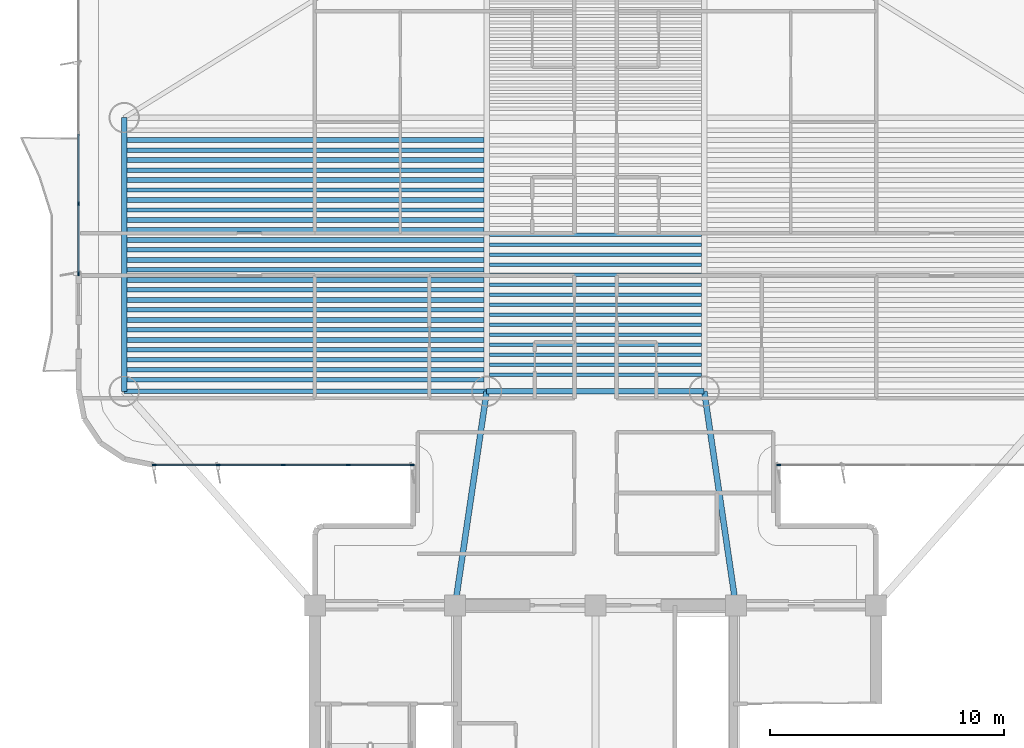
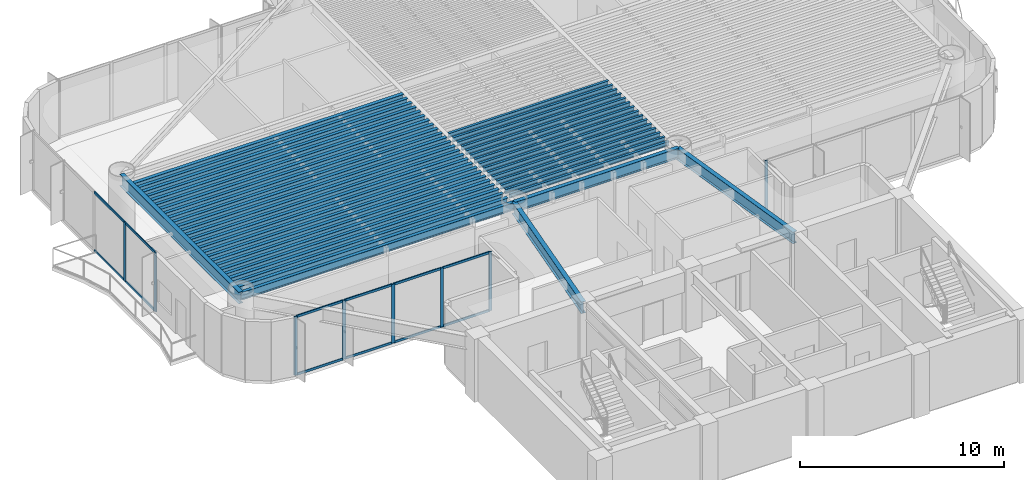
# One storey, part 2 of 17: 45 beams, 20 members, 3 elements without a shape of their own.
"""IFC4 building model written with IfcOpenShell, lengths in metres."""

from ifc_helpers import new_model, si_unit, direction, frame, origin, origin_2d, place, context, subcontext, project, spatial, rectangle, i_section, extrude, source, transform, mapped, material, layer, layer_set, material_profile, profile_set, type_object, element, aggregate, save


model = new_model("IFC4")

# Units and contexts
model_context = context("Model", 3, precision=1e-05, world=origin(), true_north=direction((0.0, 1.0)))
body_context = subcontext(model_context, "Body", "Model", "MODEL_VIEW")
ifc_project = project(units=[si_unit("LENGTHUNIT", "METRE"), si_unit("AREAUNIT", "SQUARE_METRE"), si_unit("VOLUMEUNIT", "CUBIC_METRE"), si_unit("PLANEANGLEUNIT", "RADIAN"), si_unit("MASSUNIT", "GRAM", prefix="KILO")], contexts=[model_context])

# Site, building, storey
site_placement = place(None, origin())
site = spatial("IfcSite", under=ifc_project, at=site_placement, CompositionType="ELEMENT")
building_placement = place(site_placement, origin())
building = spatial("IfcBuilding", under=site, at=building_placement, Name="Brelvock Crest Care Tower", CompositionType="ELEMENT")
storey_placement = place(building_placement, frame((0.0, 0.0, 97.3798828125)))
storey = spatial("IfcBuildingStorey", under=building, at=storey_placement, Name="L24", CompositionType="ELEMENT", Elevation=97.3798828125)

# Beams
ifc_material_1 = material(Name="Steel Grade 350", Category="steel")
ifc_material_profile_1 = material_profile(ifc_material_1, i_section(OverallWidth=0.22900390625, OverallDepth=0.612060546875, WebThickness=0.011962890625, FlangeThickness=0.01953125, FilletRadius=0.013916015625, at=origin_2d()), Name="610UB125")
ifc_profile_set_1 = profile_set([ifc_material_profile_1], Name="Steel Grade 350")
beam_type_1 = type_object("IfcBeamType", Name="BM-G1", PredefinedType="BEAM", material=ifc_profile_set_1)
shared_shape_1 = source(origin(), body_context, "Body", "SweptSolid", [
    extrude(i_section(OverallWidth=0.22900390625, OverallDepth=0.612060546875, WebThickness=0.011962890625, FlangeThickness=0.01953125, FilletRadius=0.013916015625, at=origin_2d()), origin(), (0.0, 0.0, 1.0), 9.2998046875),
])
beam_1_placement = place(storey_placement, frame((31.35009765625, 27.14990234375, 3.22412109375), z_axis=(1.0, 0.0, 0.0), x_axis=(0.0, 1.0, 0.0)))
element("IfcBeam", 1, at=beam_1_placement, inside=storey, type_object=beam_type_1, Name="BM-TWR-L24-05", PredefinedType="BEAM", context=body_context, shape_type="MappedRepresentation", body=[
    mapped(shared_shape_1, transform((0.0, 0.0, 0.0), x_axis=(1.0, 0.0, 0.0), y_axis=(0.0, 1.0, 0.0), z_axis=(0.0, 0.0, 1.0), scale=1.0)),
])
ifc_material_profile_2 = material_profile(ifc_material_1, i_section(OverallWidth=0.14599609375, OverallDepth=0.256103515625, WebThickness=0.00634765625, FlangeThickness=0.010986328125, FilletRadius=0.0087890625, at=origin_2d()), Name="250UB37.3")
ifc_profile_set_2 = profile_set([ifc_material_profile_2], Name="Steel Grade 350")
beam_type_2 = type_object("IfcBeamType", Name="BM-J3", PredefinedType="JOIST", material=ifc_profile_set_2)
shared_shape_2 = source(origin(), body_context, "Body", "SweptSolid", [
    extrude(i_section(OverallWidth=0.14599609375, OverallDepth=0.256103515625, WebThickness=0.00634765625, FlangeThickness=0.010986328125, FilletRadius=0.0087890625, at=origin_2d()), origin(), (0.0, 0.0, 1.0), 9.06982421875),
])
for number, where, z_axis, x_axis, name in (
    (2, (31.465087890625, 27.85498046875, 3.402099609375), (1.0, 0.0, 0.0), (0.0, 1.0, 0.0), "BM-JH-L24-1"),
    (3, (31.465087890625, 28.281982421875, 3.402099609375), (1.0, 0.0, 0.0), (0.0, 1.0, 0.0), "BM-JH-L24-2"),
    (4, (31.465087890625, 28.708984375, 3.402099609375), (1.0, 0.0, 0.0), (0.0, 1.0, 0.0), "BM-JH-L24-3"),
    (5, (31.465087890625, 29.135986328125, 3.402099609375), (1.0, 0.0, 0.0), (0.0, 1.0, 0.0), "BM-JH-L24-4"),
    (6, (31.465087890625, 29.56298828125, 3.402099609375), (1.0, 0.0, 0.0), (0.0, 1.0, 0.0), "BM-JH-L24-5"),
    (7, (31.465087890625, 29.990234375, 3.402099609375), (1.0, 0.0, 0.0), (0.0, 1.0, 0.0), "BM-JH-L24-6"),
    (8, (31.465087890625, 30.417236328125, 3.402099609375), (1.0, 0.0, 0.0), (0.0, 1.0, 0.0), "BM-JH-L24-7"),
    (9, (31.465087890625, 30.84423828125, 3.402099609375), (1.0, 0.0, 0.0), (0.0, 1.0, 0.0), "BM-JH-L24-8"),
    (10, (31.465087890625, 31.271240234375, 3.402099609375), (1.0, 0.0, 0.0), (0.0, 1.0, 0.0), "BM-JH-L24-9"),
    (11, (31.465087890625, 31.698486328125, 3.402099609375), (1.0, 0.0, 0.0), (0.0, 1.0, 0.0), "BM-JH-L24-10"),
    (12, (31.465087890625, 32.12548828125, 3.402099609375), (1.0, 0.0, 0.0), (0.0, 1.0, 0.0), "BM-JH-L24-11"),
    (13, (31.465087890625, 32.552490234375, 3.402099609375), (1.0, 0.0, 0.0), (0.0, 1.0, 0.0), "BM-JH-L24-12"),
    (14, (31.465087890625, 32.9794921875, 3.402099609375), (1.0, 0.0, 0.0), (0.0, 1.0, 0.0), "BM-JH-L24-13"),
    (15, (31.465087890625, 33.406494140625, 3.402099609375), (1.0, 0.0, 0.0), (0.0, 1.0, 0.0), "BM-JH-L24-14"),
    (16, (31.465087890625, 33.83349609375, 3.402099609375), (1.0, 0.0, 0.0), (0.0, 1.0, 0.0), "BM-JH-L24-15"),
):
    element("IfcBeam", number, at=place(storey_placement, frame(where, z_axis=z_axis, x_axis=x_axis)), inside=storey, type_object=beam_type_2, Name=name, PredefinedType="JOIST", context=body_context, shape_type="MappedRepresentation", body=[
        mapped(shared_shape_2, transform((0.0, 0.0, 0.0), x_axis=(1.0, 0.0, 0.0), y_axis=(0.0, 1.0, 0.0), z_axis=(0.0, 0.0, 1.0), scale=1.0)),
    ])
ifc_material_profile_3 = material_profile(ifc_material_1, i_section(OverallWidth=0.208984375, OverallDepth=0.532958984375, WebThickness=0.01025390625, FlangeThickness=0.015625, FilletRadius=0.013916015625, at=origin_2d()), Name="530UB92.4")
ifc_profile_set_3 = profile_set([ifc_material_profile_3], Name="Steel Grade 350")
beam_type_3 = type_object("IfcBeamType", Name="BM-G2", PredefinedType="BEAM", material=ifc_profile_set_3)
shared_shape_3 = source(origin(), body_context, "Body", "SweptSolid", [
    extrude(i_section(OverallWidth=0.208984375, OverallDepth=0.532958984375, WebThickness=0.01025390625, FlangeThickness=0.015625, FilletRadius=0.013916015625, at=origin_2d()), origin(), (0.0, 0.0, 1.0), 15.27001953125),
])
for number, where, z_axis, x_axis, name in (
    (17, (15.965087890625, 27.641357421875, 3.263671875), (1.0, 0.0, 0.0), (0.0, 1.0, 0.0), "BM-JW-L24-1"),
    (18, (15.965087890625, 28.49560546875, 3.263671875), (1.0, 0.0, 0.0), (0.0, 1.0, 0.0), "BM-JW-L24-3"),
    (19, (15.965087890625, 29.349609375, 3.263671875), (1.0, 0.0, 0.0), (0.0, 1.0, 0.0), "BM-JW-L24-5"),
    (20, (15.965087890625, 30.20361328125, 3.263671875), (1.0, 0.0, 0.0), (0.0, 1.0, 0.0), "BM-JW-L24-7"),
    (21, (15.965087890625, 31.057861328125, 3.263671875), (1.0, 0.0, 0.0), (0.0, 1.0, 0.0), "BM-JW-L24-9"),
    (22, (15.965087890625, 31.911865234375, 3.263671875), (1.0, 0.0, 0.0), (0.0, 1.0, 0.0), "BM-JW-L24-11"),
    (23, (15.965087890625, 32.76611328125, 3.263671875), (1.0, 0.0, 0.0), (0.0, 1.0, 0.0), "BM-JW-L24-13"),
    (24, (15.965087890625, 33.6201171875, 3.263671875), (1.0, 0.0, 0.0), (0.0, 1.0, 0.0), "BM-JW-L24-15"),
    (25, (15.965087890625, 34.47412109375, 3.263671875), (1.0, 0.0, 0.0), (0.0, 1.0, 0.0), "BM-JW-L24-17"),
    (26, (15.965087890625, 35.328369140625, 3.263671875), (1.0, 0.0, 0.0), (0.0, 1.0, 0.0), "BM-JW-L24-19"),
    (27, (15.965087890625, 36.182373046875, 3.263671875), (1.0, 0.0, 0.0), (0.0, 1.0, 0.0), "BM-JW-L24-21"),
    (28, (15.965087890625, 37.03662109375, 3.263671875), (1.0, 0.0, 0.0), (0.0, 1.0, 0.0), "BM-JW-L24-23"),
    (29, (15.965087890625, 37.890625, 3.263671875), (1.0, 0.0, 0.0), (0.0, 1.0, 0.0), "BM-JW-L24-25"),
):
    element("IfcBeam", number, at=place(storey_placement, frame(where, z_axis=z_axis, x_axis=x_axis)), inside=storey, type_object=beam_type_3, Name=name, PredefinedType="BEAM", context=body_context, shape_type="MappedRepresentation", body=[
        mapped(shared_shape_3, transform((0.0, 0.0, 0.0), x_axis=(1.0, 0.0, 0.0), y_axis=(0.0, 1.0, 0.0), z_axis=(0.0, 0.0, 1.0), scale=1.0)),
    ])
ifc_material_profile_4 = material_profile(ifc_material_1, i_section(OverallWidth=0.19091796875, OverallDepth=0.4599609375, WebThickness=0.010009765625, FlangeThickness=0.01611328125, FilletRadius=0.011474609375, at=origin_2d()), Name="460UB82.1")
ifc_profile_set_4 = profile_set([ifc_material_profile_4], Name="Steel Grade 350")
beam_type_4 = type_object("IfcBeamType", Name="BM-G3", PredefinedType="BEAM", material=ifc_profile_set_4)
shared_shape_4 = source(origin(), body_context, "Body", "SweptSolid", [
    extrude(i_section(OverallWidth=0.19091796875, OverallDepth=0.4599609375, WebThickness=0.010009765625, FlangeThickness=0.01611328125, FilletRadius=0.011474609375, at=origin_2d()), origin(), (0.0, 0.0, 1.0), 15.27001953125),
])
for number, where, z_axis, x_axis, name in (
    (30, (15.965087890625, 28.068359375, 3.300048828125), (1.0, 0.0, 0.0), (0.0, 1.0, 0.0), "BM-JW-L24-2"),
    (31, (15.965087890625, 28.922607421875, 3.300048828125), (1.0, 0.0, 0.0), (0.0, 1.0, 0.0), "BM-JW-L24-4"),
    (32, (15.965087890625, 29.776611328125, 3.300048828125), (1.0, 0.0, 0.0), (0.0, 1.0, 0.0), "BM-JW-L24-6"),
    (33, (15.965087890625, 30.630615234375, 3.300048828125), (1.0, 0.0, 0.0), (0.0, 1.0, 0.0), "BM-JW-L24-8"),
    (34, (15.965087890625, 31.48486328125, 3.300048828125), (1.0, 0.0, 0.0), (0.0, 1.0, 0.0), "BM-JW-L24-10"),
    (35, (15.965087890625, 32.3388671875, 3.300048828125), (1.0, 0.0, 0.0), (0.0, 1.0, 0.0), "BM-JW-L24-12"),
    (36, (15.965087890625, 33.193115234375, 3.300048828125), (1.0, 0.0, 0.0), (0.0, 1.0, 0.0), "BM-JW-L24-14"),
    (37, (15.965087890625, 34.047119140625, 3.300048828125), (1.0, 0.0, 0.0), (0.0, 1.0, 0.0), "BM-JW-L24-16"),
    (38, (15.965087890625, 34.901123046875, 3.300048828125), (1.0, 0.0, 0.0), (0.0, 1.0, 0.0), "BM-JW-L24-18"),
    (39, (15.965087890625, 35.75537109375, 3.300048828125), (1.0, 0.0, 0.0), (0.0, 1.0, 0.0), "BM-JW-L24-20"),
    (40, (15.965087890625, 36.609619140625, 3.300048828125), (1.0, 0.0, 0.0), (0.0, 1.0, 0.0), "BM-JW-L24-22"),
    (41, (15.965087890625, 37.46337890625, 3.300048828125), (1.0, 0.0, 0.0), (0.0, 1.0, 0.0), "BM-JW-L24-24"),
):
    element("IfcBeam", number, at=place(storey_placement, frame(where, z_axis=z_axis, x_axis=x_axis)), inside=storey, type_object=beam_type_4, Name=name, PredefinedType="BEAM", context=body_context, shape_type="MappedRepresentation", body=[
        mapped(shared_shape_4, transform((0.0, 0.0, 0.0), x_axis=(1.0, 0.0, 0.0), y_axis=(0.0, 1.0, 0.0), z_axis=(0.0, 0.0, 1.0), scale=1.0)),
    ])
ifc_material_profile_5 = material_profile(ifc_material_1, i_section(OverallWidth=0.25, OverallDepth=0.699951171875, WebThickness=0.011962890625, FlangeThickness=0.02001953125, at=origin_2d()), Name="700WB150")
ifc_profile_set_5 = profile_set([ifc_material_profile_5], Name="Steel Grade 350")
beam_type_5 = type_object("IfcBeamType", Name="BM-G4", PredefinedType="BEAM", material=ifc_profile_set_5)
shared_shape_5 = source(origin(), body_context, "Body", "SweptSolid", [
    extrude(i_section(OverallWidth=0.25, OverallDepth=0.699951171875, WebThickness=0.011962890625, FlangeThickness=0.02001953125, at=origin_2d()), origin(), (0.0, 0.0, 1.0), 11.7001953125),
])
beam_2_placement = place(storey_placement, frame((15.85009765625, 27.14990234375, 3.18017578125), z_axis=(0.0, 1.0, 0.0), x_axis=(-1.0, 0.0, 0.0)))
element("IfcBeam", 42, at=beam_2_placement, inside=storey, type_object=beam_type_5, Name="BM-TWR-L24-01", PredefinedType="BEAM", context=body_context, shape_type="MappedRepresentation", body=[
    mapped(shared_shape_5, transform((0.0, 0.0, 0.0), x_axis=(1.0, 0.0, 0.0), y_axis=(0.0, 1.0, 0.0), z_axis=(0.0, 0.0, 1.0), scale=1.0)),
])
ifc_material_profile_6 = material_profile(ifc_material_1, i_section(OverallWidth=0.19091796875, OverallDepth=0.4599609375, WebThickness=0.010009765625, FlangeThickness=0.01611328125, FilletRadius=0.011474609375, at=origin_2d()), Name="460UB82.1")
ifc_profile_set_6 = profile_set([ifc_material_profile_6], Name="Steel Grade 350")
beam_type_6 = type_object("IfcBeamType", Name="BM-SP2", PredefinedType="SPANDREL", material=ifc_profile_set_6)
shared_shape_6 = source(origin(), body_context, "Body", "SweptSolid", [
    extrude(i_section(OverallWidth=0.19091796875, OverallDepth=0.4599609375, WebThickness=0.010009765625, FlangeThickness=0.01611328125, FilletRadius=0.011474609375, at=origin_2d()), origin(), (0.0, 0.0, 1.0), 15.5),
])
beam_3_placement = place(storey_placement, frame((15.85009765625, 27.14990234375, 3.300048828125), z_axis=(1.0, 0.0, 0.0), x_axis=(0.0, 1.0, 0.0)))
element("IfcBeam", 43, at=beam_3_placement, inside=storey, type_object=beam_type_6, Name="BM-TWR-L24-03", PredefinedType="SPANDREL", context=body_context, shape_type="MappedRepresentation", body=[
    mapped(shared_shape_6, transform((0.0, 0.0, 0.0), x_axis=(1.0, 0.0, 0.0), y_axis=(0.0, 1.0, 0.0), z_axis=(0.0, 0.0, 1.0), scale=1.0)),
])
shared_shape_7 = source(origin(), body_context, "Body", "SweptSolid", [
    extrude(i_section(OverallWidth=0.25, OverallDepth=0.699951171875, WebThickness=0.011962890625, FlangeThickness=0.02001953125, at=origin_2d()), origin(), (0.0, 0.0, 1.0), 9.2490234375),
])
for number, where, z_axis, x_axis, name in (
    (44, (30.0, 18.0, 3.18017578125), (0.145972731602, 0.989288613918, 0.0), (-0.989288613918, 0.145972731602, 0.0), "BM-THRW-L24"),
    (45, (42.0, 18.0, 3.18017578125), (-0.145972731602, 0.989288613918, 0.0), (-0.989288613918, -0.145972731602, 0.0), "BM-THRE-L24"),
):
    element("IfcBeam", number, at=place(storey_placement, frame(where, z_axis=z_axis, x_axis=x_axis)), inside=storey, type_object=beam_type_5, Name=name, PredefinedType="BEAM", context=body_context, shape_type="MappedRepresentation", body=[
        mapped(shared_shape_7, transform((0.0, 0.0, 0.0), x_axis=(1.0, 0.0, 0.0), y_axis=(0.0, 1.0, 0.0), z_axis=(0.0, 0.0, 1.0), scale=1.0)),
    ])

# Curtain wall, members
ifc_material_2 = material(Name="Dark Glass Double Glazed Low-E", Category="glass")
ifc_layer = layer(ifc_material_2, 0.2099609375, Name="CWS-3")
ifc_layer_set = layer_set([ifc_layer], Name="Dark Glass Double Glazed Low-E")
curtain_wall_type = type_object("IfcCurtainWallType", Name="CWS-3", PredefinedType="NOTDEFINED", material=ifc_layer_set)
curtain_wall_1_placement = place(storey_placement, origin())
curtain_wall_1 = element("IfcCurtainWall", 46, at=curtain_wall_1_placement, inside=storey, type_object=curtain_wall_type, Name="L24 Curtain Wall E12", PredefinedType="NOTDEFINED")
ifc_material_3 = material(Name="Aluminium 6063-T6", Category="aluminium")
ifc_material_profile_7 = material_profile(ifc_material_3, rectangle(XDim=0.06005859375, YDim=0.179931640625, at=origin_2d()), Name="ALU60x180")
ifc_profile_set_7 = profile_set([ifc_material_profile_7], Name="Aluminium 6063-T6")
member_type_1 = type_object("IfcMemberType", Name="CWM-2", PredefinedType="MULLION", material=ifc_profile_set_7)
shared_shape_8 = source(origin(), body_context, "Body", "SweptSolid", [
    extrude(rectangle(XDim=0.06005859375, YDim=0.179931640625, at=origin_2d()), origin(), (0.0, 0.0, 1.0), 3.530029296875),
])
member_1_placement = place(storey_placement, frame((28.169921875, 24.0, 0.0), z_axis=(0.0, 0.0, 1.0), x_axis=(0.0, -1.0, 0.0)))
member_1 = element("IfcMember", 47, at=member_1_placement, type_object=member_type_1, Name="CW-3 mullion 1", PredefinedType="MULLION", context=body_context, shape_type="MappedRepresentation", body=[
    mapped(shared_shape_8, transform((0.0, 0.0, 0.0), x_axis=(1.0, 0.0, 0.0), y_axis=(0.0, 1.0, 0.0), z_axis=(0.0, 0.0, 1.0), scale=1.0)),
])
member_2_placement = place(storey_placement, frame((25.425048828125, 24.0, 0.0), z_axis=(0.0, 0.0, 1.0), x_axis=(0.0, -1.0, 0.0)))
member_2 = element("IfcMember", 48, at=member_2_placement, type_object=member_type_1, Name="CW-3 mullion 2", PredefinedType="MULLION", context=body_context, shape_type="MappedRepresentation", body=[
    mapped(shared_shape_8, transform((0.0, 0.0, 0.0), x_axis=(1.0, 0.0, 0.0), y_axis=(0.0, 1.0, 0.0), z_axis=(0.0, 0.0, 1.0), scale=1.0)),
])
member_3_placement = place(storey_placement, frame((22.64990234375, 24.0, 0.0), z_axis=(0.0, 0.0, 1.0), x_axis=(0.0, -1.0, 0.0)))
member_3 = element("IfcMember", 49, at=member_3_placement, type_object=member_type_1, Name="CW-3 mullion 3", PredefinedType="MULLION", context=body_context, shape_type="MappedRepresentation", body=[
    mapped(shared_shape_8, transform((0.0, 0.0, 0.0), x_axis=(1.0, 0.0, 0.0), y_axis=(0.0, 1.0, 0.0), z_axis=(0.0, 0.0, 1.0), scale=1.0)),
])
member_4_placement = place(storey_placement, frame((19.875, 24.0, 0.0), z_axis=(0.0, 0.0, 1.0), x_axis=(0.0, -1.0, 0.0)))
member_4 = element("IfcMember", 50, at=member_4_placement, type_object=member_type_1, Name="CW-3 mullion 4", PredefinedType="MULLION", context=body_context, shape_type="MappedRepresentation", body=[
    mapped(shared_shape_8, transform((0.0, 0.0, 0.0), x_axis=(1.0, 0.0, 0.0), y_axis=(0.0, 1.0, 0.0), z_axis=(0.0, 0.0, 1.0), scale=1.0)),
])
member_5_placement = place(storey_placement, frame((17.1298828125, 24.0, 0.0), z_axis=(0.0, 0.0, 1.0), x_axis=(0.0, -1.0, 0.0)))
member_5 = element("IfcMember", 51, at=member_5_placement, type_object=member_type_1, Name="CW-3 mullion 5", PredefinedType="MULLION", context=body_context, shape_type="MappedRepresentation", body=[
    mapped(shared_shape_8, transform((0.0, 0.0, 0.0), x_axis=(1.0, 0.0, 0.0), y_axis=(0.0, 1.0, 0.0), z_axis=(0.0, 0.0, 1.0), scale=1.0)),
])

curtain_wall_2_placement = place(storey_placement, origin())
curtain_wall_2 = element("IfcCurtainWall", 52, at=curtain_wall_2_placement, inside=storey, type_object=curtain_wall_type, Name="L24 Curtain Wall E17B", PredefinedType="NOTDEFINED")
member_6_placement = place(storey_placement, frame((13.89990234375, 32.179931640625, 0.0), z_axis=(0.0, 0.0, 1.0), x_axis=(-1.0, 0.0, 0.0)))
member_6 = element("IfcMember", 53, at=member_6_placement, type_object=member_type_1, Name="CW-3 mullion 1", PredefinedType="MULLION", context=body_context, shape_type="MappedRepresentation", body=[
    mapped(shared_shape_8, transform((0.0, 0.0, 0.0), x_axis=(1.0, 0.0, 0.0), y_axis=(0.0, 1.0, 0.0), z_axis=(0.0, 0.0, 1.0), scale=1.0)),
])
member_7_placement = place(storey_placement, frame((13.89990234375, 35.16259765625, 0.0), z_axis=(0.0, 0.0, 1.0), x_axis=(-1.0, 0.0, 0.0)))
member_7 = element("IfcMember", 54, at=member_7_placement, type_object=member_type_1, Name="CW-3 mullion 2", PredefinedType="MULLION", context=body_context, shape_type="MappedRepresentation", body=[
    mapped(shared_shape_8, transform((0.0, 0.0, 0.0), x_axis=(1.0, 0.0, 0.0), y_axis=(0.0, 1.0, 0.0), z_axis=(0.0, 0.0, 1.0), scale=1.0)),
])

# Curtain wall, member
curtain_wall_3_placement = place(storey_placement, origin())
curtain_wall_3 = element("IfcCurtainWall", 55, at=curtain_wall_3_placement, inside=storey, type_object=curtain_wall_type, Name="L24 Curtain Wall E44", PredefinedType="NOTDEFINED")
member_8_placement = place(storey_placement, frame((43.830078125, 24.0, 0.0), z_axis=(0.0, 0.0, 1.0), x_axis=(0.0, -1.0, 0.0)))
member_8 = element("IfcMember", 56, at=member_8_placement, type_object=member_type_1, Name="CW-3 mullion 5", PredefinedType="MULLION", context=body_context, shape_type="MappedRepresentation", body=[
    mapped(shared_shape_8, transform((0.0, 0.0, 0.0), x_axis=(1.0, 0.0, 0.0), y_axis=(0.0, 1.0, 0.0), z_axis=(0.0, 0.0, 1.0), scale=1.0)),
])
aggregate(curtain_wall_3, [member_8])

# Member
ifc_material_profile_8 = material_profile(ifc_material_3, rectangle(XDim=0.06005859375, YDim=0.139892578125, at=origin_2d()), Name="ALU60x140")
ifc_profile_set_8 = profile_set([ifc_material_profile_8], Name="Aluminium 6063-T6")
member_type_2 = type_object("IfcMemberType", Name="CWT-2", PredefinedType="USERDEFINED", material=ifc_profile_set_8)
shared_shape_9 = source(origin(), body_context, "Body", "SweptSolid", [
    extrude(rectangle(XDim=0.06005859375, YDim=0.139892578125, at=origin_2d()), origin(), (0.0, 0.0, 1.0), 2.684814453125),
])
member_9_placement = place(storey_placement, frame((28.139892578125, 24.0, 0.030029296875), z_axis=(-1.0, 0.0, 0.0), x_axis=(0.0, -1.0, 0.0)))
member_9 = element("IfcMember", 57, at=member_9_placement, type_object=member_type_2, Name="CW-3 transom 1.1", ObjectType="TRANSOM", PredefinedType="USERDEFINED", context=body_context, shape_type="MappedRepresentation", body=[
    mapped(shared_shape_9, transform((0.0, 0.0, 0.0), x_axis=(1.0, 0.0, 0.0), y_axis=(0.0, 1.0, 0.0), z_axis=(0.0, 0.0, 1.0), scale=1.0)),
])

member_10_placement = place(storey_placement, frame((28.139892578125, 24.0, 3.5), z_axis=(-1.0, 0.0, 0.0), x_axis=(0.0, -1.0, 0.0)))
member_10 = element("IfcMember", 58, at=member_10_placement, type_object=member_type_2, Name="CW-3 transom 1.2", ObjectType="TRANSOM", PredefinedType="USERDEFINED", context=body_context, shape_type="MappedRepresentation", body=[
    mapped(shared_shape_9, transform((0.0, 0.0, 0.0), x_axis=(1.0, 0.0, 0.0), y_axis=(0.0, 1.0, 0.0), z_axis=(0.0, 0.0, 1.0), scale=1.0)),
])

shared_shape_10 = source(origin(), body_context, "Body", "SweptSolid", [
    extrude(rectangle(XDim=0.06005859375, YDim=0.139892578125, at=origin_2d()), origin(), (0.0, 0.0, 1.0), 2.715087890625),
])
member_11_placement = place(storey_placement, frame((25.39501953125, 24.0, 0.030029296875), z_axis=(-1.0, 0.0, 0.0), x_axis=(0.0, -1.0, 0.0)))
member_11 = element("IfcMember", 59, at=member_11_placement, type_object=member_type_2, Name="CW-3 transom 2.1", ObjectType="TRANSOM", PredefinedType="USERDEFINED", context=body_context, shape_type="MappedRepresentation", body=[
    mapped(shared_shape_10, transform((0.0, 0.0, 0.0), x_axis=(1.0, 0.0, 0.0), y_axis=(0.0, 1.0, 0.0), z_axis=(0.0, 0.0, 1.0), scale=1.0)),
])

member_12_placement = place(storey_placement, frame((25.39501953125, 24.0, 3.5), z_axis=(-1.0, 0.0, 0.0), x_axis=(0.0, -1.0, 0.0)))
member_12 = element("IfcMember", 60, at=member_12_placement, type_object=member_type_2, Name="CW-3 transom 2.2", ObjectType="TRANSOM", PredefinedType="USERDEFINED", context=body_context, shape_type="MappedRepresentation", body=[
    mapped(shared_shape_10, transform((0.0, 0.0, 0.0), x_axis=(1.0, 0.0, 0.0), y_axis=(0.0, 1.0, 0.0), z_axis=(0.0, 0.0, 1.0), scale=1.0)),
])

member_13_placement = place(storey_placement, frame((22.6201171875, 24.0, 0.030029296875), z_axis=(-1.0, 0.0, 0.0), x_axis=(0.0, -1.0, 0.0)))
member_13 = element("IfcMember", 61, at=member_13_placement, type_object=member_type_2, Name="CW-3 transom 3.1", ObjectType="TRANSOM", PredefinedType="USERDEFINED", context=body_context, shape_type="MappedRepresentation", body=[
    mapped(shared_shape_10, transform((0.0, 0.0, 0.0), x_axis=(1.0, 0.0, 0.0), y_axis=(0.0, 1.0, 0.0), z_axis=(0.0, 0.0, 1.0), scale=1.0)),
])

member_14_placement = place(storey_placement, frame((22.6201171875, 24.0, 3.5), z_axis=(-1.0, 0.0, 0.0), x_axis=(0.0, -1.0, 0.0)))
member_14 = element("IfcMember", 62, at=member_14_placement, type_object=member_type_2, Name="CW-3 transom 3.2", ObjectType="TRANSOM", PredefinedType="USERDEFINED", context=body_context, shape_type="MappedRepresentation", body=[
    mapped(shared_shape_10, transform((0.0, 0.0, 0.0), x_axis=(1.0, 0.0, 0.0), y_axis=(0.0, 1.0, 0.0), z_axis=(0.0, 0.0, 1.0), scale=1.0)),
])

shared_shape_11 = source(origin(), body_context, "Body", "SweptSolid", [
    extrude(rectangle(XDim=0.06005859375, YDim=0.139892578125, at=origin_2d()), origin(), (0.0, 0.0, 1.0), 2.68505859375),
])
member_15_placement = place(storey_placement, frame((19.844970703125, 24.0, 0.030029296875), z_axis=(-1.0, 0.0, 0.0), x_axis=(0.0, -1.0, 0.0)))
member_15 = element("IfcMember", 63, at=member_15_placement, type_object=member_type_2, Name="CW-3 transom 4.1", ObjectType="TRANSOM", PredefinedType="USERDEFINED", context=body_context, shape_type="MappedRepresentation", body=[
    mapped(shared_shape_11, transform((0.0, 0.0, 0.0), x_axis=(1.0, 0.0, 0.0), y_axis=(0.0, 1.0, 0.0), z_axis=(0.0, 0.0, 1.0), scale=1.0)),
])

member_16_placement = place(storey_placement, frame((19.844970703125, 24.0, 3.5), z_axis=(-1.0, 0.0, 0.0), x_axis=(0.0, -1.0, 0.0)))
member_16 = element("IfcMember", 64, at=member_16_placement, type_object=member_type_2, Name="CW-3 transom 4.2", ObjectType="TRANSOM", PredefinedType="USERDEFINED", context=body_context, shape_type="MappedRepresentation", body=[
    mapped(shared_shape_11, transform((0.0, 0.0, 0.0), x_axis=(1.0, 0.0, 0.0), y_axis=(0.0, 1.0, 0.0), z_axis=(0.0, 0.0, 1.0), scale=1.0)),
])

aggregate(curtain_wall_1, [member_1, member_2, member_3, member_4, member_5, member_9, member_10, member_11, member_12, member_13, member_14, member_15, member_16])

shared_shape_12 = source(origin(), body_context, "Body", "SweptSolid", [
    extrude(rectangle(XDim=0.06005859375, YDim=0.139892578125, at=origin_2d()), origin(), (0.0, 0.0, 1.0), 2.922607421875),
])
member_17_placement = place(storey_placement, frame((13.89990234375, 32.2099609375, 0.030029296875), z_axis=(0.0, 1.0, 0.0), x_axis=(-1.0, 0.0, 0.0)))
member_17 = element("IfcMember", 65, at=member_17_placement, type_object=member_type_2, Name="CW-3 transom 1.1", ObjectType="TRANSOM", PredefinedType="USERDEFINED", context=body_context, shape_type="MappedRepresentation", body=[
    mapped(shared_shape_12, transform((0.0, 0.0, 0.0), x_axis=(1.0, 0.0, 0.0), y_axis=(0.0, 1.0, 0.0), z_axis=(0.0, 0.0, 1.0), scale=1.0)),
])

member_18_placement = place(storey_placement, frame((13.89990234375, 32.2099609375, 3.5), z_axis=(0.0, 1.0, 0.0), x_axis=(-1.0, 0.0, 0.0)))
member_18 = element("IfcMember", 66, at=member_18_placement, type_object=member_type_2, Name="CW-3 transom 1.2", ObjectType="TRANSOM", PredefinedType="USERDEFINED", context=body_context, shape_type="MappedRepresentation", body=[
    mapped(shared_shape_12, transform((0.0, 0.0, 0.0), x_axis=(1.0, 0.0, 0.0), y_axis=(0.0, 1.0, 0.0), z_axis=(0.0, 0.0, 1.0), scale=1.0)),
])

shared_shape_13 = source(origin(), body_context, "Body", "SweptSolid", [
    extrude(rectangle(XDim=0.06005859375, YDim=0.139892578125, at=origin_2d()), origin(), (0.0, 0.0, 1.0), 2.95263671875),
])
member_19_placement = place(storey_placement, frame((13.89990234375, 35.1923828125, 0.030029296875), z_axis=(0.0, 1.0, 0.0), x_axis=(-1.0, 0.0, 0.0)))
member_19 = element("IfcMember", 67, at=member_19_placement, type_object=member_type_2, Name="CW-3 transom 2.1", ObjectType="TRANSOM", PredefinedType="USERDEFINED", context=body_context, shape_type="MappedRepresentation", body=[
    mapped(shared_shape_13, transform((0.0, 0.0, 0.0), x_axis=(1.0, 0.0, 0.0), y_axis=(0.0, 1.0, 0.0), z_axis=(0.0, 0.0, 1.0), scale=1.0)),
])

member_20_placement = place(storey_placement, frame((13.89990234375, 35.1923828125, 3.5), z_axis=(0.0, 1.0, 0.0), x_axis=(-1.0, 0.0, 0.0)))
member_20 = element("IfcMember", 68, at=member_20_placement, type_object=member_type_2, Name="CW-3 transom 2.2", ObjectType="TRANSOM", PredefinedType="USERDEFINED", context=body_context, shape_type="MappedRepresentation", body=[
    mapped(shared_shape_13, transform((0.0, 0.0, 0.0), x_axis=(1.0, 0.0, 0.0), y_axis=(0.0, 1.0, 0.0), z_axis=(0.0, 0.0, 1.0), scale=1.0)),
])

aggregate(curtain_wall_2, [member_6, member_7, member_17, member_18, member_19, member_20])

save(model, "model.ifc")
